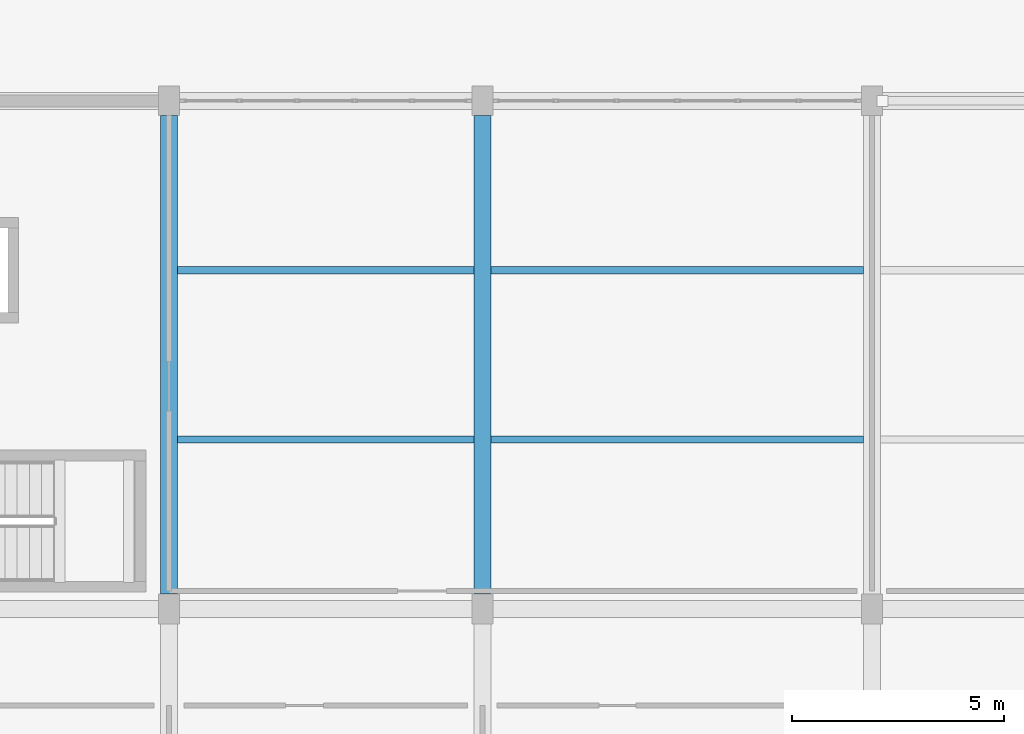
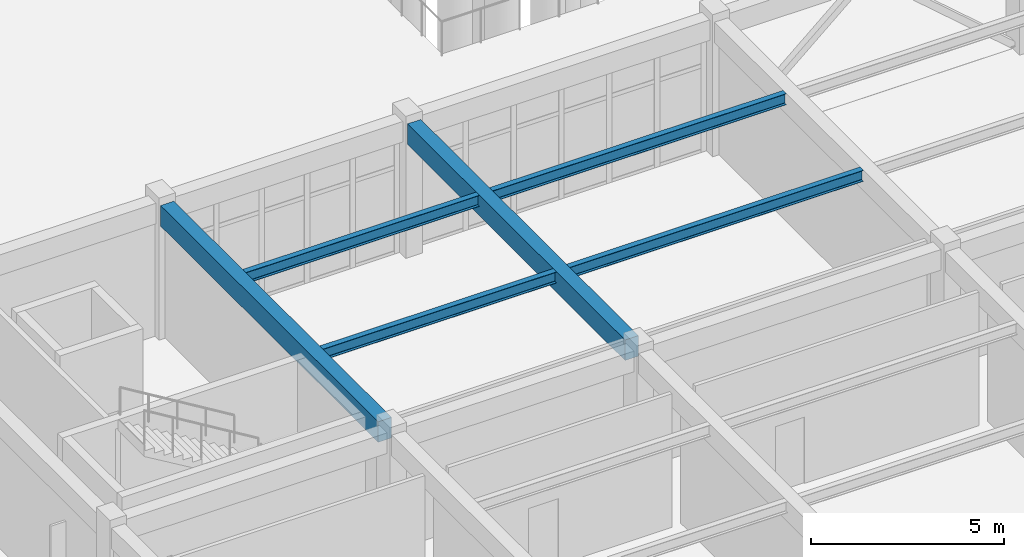
# One storey, part 35 of 154: 6 beams.
"""IFC4 building model written with IfcOpenShell, lengths in metres."""

import ifcopenshell
import ifcopenshell.guid

model = None  # the IFC model being written
_history = None  # IfcOwnerHistory: only IFC2X3 demands one
_inside = {}  # id of a spatial element -> (the spatial element, [elements in it])
_under = {}  # id of a project, library or spatial element -> (it, [spatial elements below it])
_declared = {}  # id of a project -> (the project, [libraries it declares])
_typed = {}  # id of a type object -> (the type object, [elements of that type])
_made_of = {}  # id of a material, layer set ... -> (it, [elements and type objects made of it])


def new_model(schema):
    """Start an empty IFC model of exactly this schema.

    Asked for "IFC4X3", IfcOpenShell would pick the latest addendum, in which some entities
    have other attributes; the version numbers below select the first issue.
    IFC2X3 requires an IfcOwnerHistory on every rooted entity: one is made here for all.
    """
    global model, _history
    if schema == "IFC4X3":
        model = ifcopenshell.file(schema_version=(4, 3, 0, 0))
    else:
        model = ifcopenshell.file(schema=schema)
    _inside.clear()
    _under.clear()
    _declared.clear()
    _typed.clear()
    _made_of.clear()
    _history = None
    if model.schema == "IFC2X3":
        org = make("IfcOrganization", Name="unknown")
        user = make(
            "IfcPersonAndOrganization",
            ThePerson=make("IfcPerson", FamilyName="unknown"),
            TheOrganization=org,
        )
        app = make(
            "IfcApplication",
            ApplicationDeveloper=org,
            Version="unknown",
            ApplicationFullName="unknown",
            ApplicationIdentifier="unknown",
        )
        _history = make(
            "IfcOwnerHistory",
            OwningUser=user,
            OwningApplication=app,
            ChangeAction="ADDED",
            CreationDate=0,
        )
    return model


def make(cls, **values):
    """One entity of the class cls with the attributes given. An attribute that is None is left unset."""
    return model.create_entity(
        cls, **{name: value for name, value in values.items() if value is not None}
    )


def rooted(cls, **values):
    """An entity with a GlobalId (a new one), such as an element, a storey or a relation."""
    return make(cls, GlobalId=ifcopenshell.guid.new(), OwnerHistory=_history, **values)


def si_unit(unit_type, name, prefix=None):
    """IfcSIUnit, for example si_unit("LENGTHUNIT", "METRE", prefix="MILLI")."""
    return make("IfcSIUnit", UnitType=unit_type, Prefix=prefix, Name=name)


def assignment(units):
    """IfcUnitAssignment: the units of a project."""
    return None if units is None else make("IfcUnitAssignment", Units=units)


def point(xyz):
    """IfcCartesianPoint."""
    return None if xyz is None else make("IfcCartesianPoint", Coordinates=xyz)


def direction(xyz):
    """IfcDirection."""
    return None if xyz is None else make("IfcDirection", DirectionRatios=xyz)


def frame(location, z_axis=None, x_axis=None):
    """IfcAxis2Placement3D, a coordinate frame: its origin and axes. An axis left out is left unset."""
    return make(
        "IfcAxis2Placement3D",
        Location=point(location),
        Axis=direction(z_axis),
        RefDirection=direction(x_axis),
    )


def frame_2d(location, x_axis=None):
    """IfcAxis2Placement2D, a coordinate frame in the plane: its origin and x axis."""
    return make(
        "IfcAxis2Placement2D", Location=point(location), RefDirection=direction(x_axis)
    )


def origin():
    """The frame at (0, 0, 0) with its axes left unset."""
    return frame((0.0, 0.0, 0.0))


def origin_2d():
    """The frame at (0, 0) in the plane with its x axis left unset."""
    return frame_2d((0.0, 0.0))


def place(relative_to, where):
    """IfcLocalPlacement: puts the frame where relative to a parent placement (None: the world)."""
    return make(
        "IfcLocalPlacement", PlacementRelTo=relative_to, RelativePlacement=where
    )


def context(
    kind, dimensions, precision=None, world=None, true_north=None, identifier=None
):
    """IfcGeometricRepresentationContext, for example the 3D "Model" context."""
    return make(
        "IfcGeometricRepresentationContext",
        ContextIdentifier=identifier,
        ContextType=kind,
        CoordinateSpaceDimension=dimensions,
        Precision=precision,
        WorldCoordinateSystem=world,
        TrueNorth=true_north,
    )


def subcontext(parent, identifier, kind, view, scale=None):
    """IfcGeometricRepresentationSubContext, for example "Body" below "Model"."""
    return make(
        "IfcGeometricRepresentationSubContext",
        ContextIdentifier=identifier,
        ContextType=kind,
        ParentContext=parent,
        TargetScale=scale,
        TargetView=view,
    )


def project(units=None, contexts=None):
    """IfcProject with its units and contexts."""
    return rooted(
        "IfcProject",
        Name="project",
        RepresentationContexts=contexts,
        UnitsInContext=assignment(units),
    )


def spatial(cls, under=None, at=None, **own):
    """A site, building, storey or space (cls), placed at a placement, below another one or the project."""
    s = rooted(cls, ObjectPlacement=at, **own)
    if under is not None:
        _under.setdefault(under.id(), (under, []))[1].append(s)
    return s


def profile(cls, at=None, kind="AREA", **sizes):
    """A parametric profile (cls). Its sizes go by their IFC names, for example OverallWidth=200.0."""
    return make(cls, ProfileType=kind, Position=at, **sizes)


def rectangle(**sizes):
    """IfcRectangleProfileDef."""
    return profile("IfcRectangleProfileDef", **sizes)


def i_section(**sizes):
    """IfcIShapeProfileDef."""
    return profile("IfcIShapeProfileDef", **sizes)


def extrude(swept, where, along, depth):
    """IfcExtrudedAreaSolid: the profile swept, set in the frame where, extruded along a direction by depth."""
    return make(
        "IfcExtrudedAreaSolid",
        SweptArea=swept,
        Position=where,
        ExtrudedDirection=direction(along),
        Depth=depth,
    )


def shape(context_of_items, identifier, shape_type, items):
    """IfcShapeRepresentation: the items that make up one representation, for example the "Body"."""
    return make(
        "IfcShapeRepresentation",
        ContextOfItems=context_of_items,
        RepresentationIdentifier=identifier,
        RepresentationType=shape_type,
        Items=items,
    )


def material(Name=None, Category=None):
    """IfcMaterial."""
    return make("IfcMaterial", Name=Name, Category=Category)


def material_profile(
    of_material, cross_section, Name=None, Category=None, Priority=None
):
    """IfcMaterialProfile: a cross section and its material."""
    return make(
        "IfcMaterialProfile",
        Name=Name,
        Material=of_material,
        Profile=cross_section,
        Priority=Priority,
        Category=Category,
    )


def profile_set(profiles, Name=None, composite=None):
    """IfcMaterialProfileSet."""
    return make(
        "IfcMaterialProfileSet",
        Name=Name,
        MaterialProfiles=profiles,
        CompositeProfile=composite,
    )


def made_of(thing, what):
    """Note that an element or type object is made of a material, layer set ...; save() writes the relation."""
    if what is not None:
        _made_of.setdefault(what.id(), (what, []))[1].append(thing)
    return thing


def type_object(cls, material=None, **own):
    """A type object (cls), such as IfcWallType, which elements share."""
    return made_of(rooted(cls, **own), material)


def element(
    cls,
    number,
    at=None,
    inside=None,
    cuts=None,
    type_object=None,
    material=None,
    context=None,
    identifier="Body",
    shape_type=None,
    held_by="IfcProductDefinitionShape",
    body=None,
    shapes=None,
    **own,
):
    """One element of the class cls, such as IfcWall. Its Tag is "e" and its number.

    at: its placement. inside: the storey or other place that contains it. cuts: it is an
    opening in that element (IfcRelVoidsElement). A single representation is given by context,
    identifier, shape_type and body (its items); several are given by shapes. held_by: the class
    of the entity that holds the representations. save() writes the other relations.
    """
    e = rooted(cls, Tag="e%d" % number, ObjectPlacement=at, **own)
    if body is not None:
        shapes = [shape(context, identifier, shape_type, body)]
    if shapes is not None:
        e.Representation = make(held_by, Representations=shapes)
    if inside is not None:
        _inside.setdefault(inside.id(), (inside, []))[1].append(e)
    if cuts is not None:
        rooted(
            "IfcRelVoidsElement", RelatingBuildingElement=cuts, RelatedOpeningElement=e
        )
    if type_object is not None:
        _typed.setdefault(type_object.id(), (type_object, []))[1].append(e)
    return made_of(e, material)


def aggregate(whole, parts):
    """IfcRelAggregates: a whole, such as a stair, and the parts it consists of."""
    return rooted("IfcRelAggregates", RelatingObject=whole, RelatedObjects=parts)


def save(model, path):
    """Write the relations noted so far, then the file.

    IfcRelAggregates (storeys below a building ...), IfcRelContainedInSpatialStructure (elements
    in a storey), IfcRelDefinesByType, IfcRelAssociatesMaterial and IfcRelDeclares: one each for
    every whole, place, type object, material and project.
    """
    for whole, parts in _under.values():
        aggregate(whole, parts)
    for where, things in _inside.values():
        rooted(
            "IfcRelContainedInSpatialStructure",
            RelatedElements=things,
            RelatingStructure=where,
        )
    for kind, things in _typed.values():
        rooted("IfcRelDefinesByType", RelatedObjects=things, RelatingType=kind)
    for what, things in _made_of.values():
        rooted("IfcRelAssociatesMaterial", RelatedObjects=things, RelatingMaterial=what)
    for by, libraries in _declared.values():
        rooted("IfcRelDeclares", RelatingContext=by, RelatedDefinitions=libraries)
    model.write(path)


model = new_model("IFC4")

# Units and contexts
model_context = context("Model", 3, precision=1e-05, world=origin(), true_north=direction((0.0, 1.0)))
body_context = subcontext(model_context, "Body", "Model", "MODEL_VIEW")
ifc_project = project(units=[si_unit("LENGTHUNIT", "METRE"), si_unit("AREAUNIT", "SQUARE_METRE"), si_unit("VOLUMEUNIT", "CUBIC_METRE"), si_unit("PLANEANGLEUNIT", "RADIAN"), si_unit("MASSUNIT", "GRAM", prefix="KILO")], contexts=[model_context])

# Site, building, storey
site_placement = place(None, origin())
site = spatial("IfcSite", under=ifc_project, at=site_placement, CompositionType="ELEMENT")
building_placement = place(site_placement, origin())
building = spatial("IfcBuilding", under=site, at=building_placement, Name="Kestramere Prow Commons", CompositionType="ELEMENT")
storey_placement = place(building_placement, origin())
storey = spatial("IfcBuildingStorey", under=building, at=storey_placement, Name="L00", CompositionType="ELEMENT", Elevation=0.0)

# Beams
ifc_material_1 = material(Name="Precast concrete C40/50", Category="concrete")
ifc_material_profile_1 = material_profile(ifc_material_1, rectangle(XDim=0.39990234375, YDim=0.64990234375, at=origin_2d()), Name="PC-BM 400x650")
ifc_profile_set_1 = profile_set([ifc_material_profile_1], Name="Precast concrete C40/50")
beam_type_1 = type_object("IfcBeamType", Name="BM-MK-01 PC-BM 400x650", PredefinedType="BEAM", material=ifc_profile_set_1)
for number, where, z_axis, x_axis, name in (
    (1, (68.39990234375, 12.35009765625, 3.925048828125), (0.0, 1.0, 0.0), (-1.0, 0.0, 0.0), "Market Spine L00 Beam Y 2-2"),
    (2, (75.800048828125, 12.35009765625, 3.925048828125), (0.0, 1.0, 0.0), (-1.0, 0.0, 0.0), "Market Spine L00 Beam Y 3-2"),
):
    element("IfcBeam", number, at=place(storey_placement, frame(where, z_axis=z_axis, x_axis=x_axis)), inside=storey, type_object=beam_type_1, Name=name, PredefinedType="BEAM", context=body_context, shape_type="SweptSolid", body=[
        extrude(rectangle(XDim=0.39990234375, YDim=0.64990234375, at=origin_2d()), origin(), (0.0, 0.0, 1.0), 11.2998046875),
    ])
ifc_material_2 = material(Name="Steel S355JR", Category="steel")
ifc_material_profile_2 = material_profile(ifc_material_2, i_section(OverallWidth=0.17138671875, OverallDepth=0.35498046875, WebThickness=0.00732421875, FlangeThickness=0.011474609375, FilletRadius=0.01025390625, at=origin_2d()), Name="UB 356x171x51")
ifc_profile_set_2 = profile_set([ifc_material_profile_2], Name="Steel S355JR")
beam_type_2 = type_object("IfcBeamType", Name="JST-MK-01 UB 356x171x51", PredefinedType="JOIST", material=ifc_profile_set_2)
for number, where, z_axis, x_axis, name in (
    (3, (68.60009765625, 16.0, 4.072509765625), (1.0, 0.0, 0.0), (0.0, 1.0, 0.0), "Market Spine L00 Secondary Joist 2-16"),
    (4, (68.60009765625, 20.0, 4.072509765625), (1.0, 0.0, 0.0), (0.0, 1.0, 0.0), "Market Spine L00 Secondary Joist 2-20"),
):
    element("IfcBeam", number, at=place(storey_placement, frame(where, z_axis=z_axis, x_axis=x_axis)), inside=storey, type_object=beam_type_2, Name=name, PredefinedType="JOIST", context=body_context, shape_type="SweptSolid", body=[
        extrude(i_section(OverallWidth=0.17138671875, OverallDepth=0.35498046875, WebThickness=0.00732421875, FlangeThickness=0.011474609375, FilletRadius=0.01025390625, at=origin_2d()), origin(), (0.0, 0.0, 1.0), 7.0),
    ])
for number, where, z_axis, x_axis, name in (
    (5, (76.0, 16.0, 4.072509765625), (1.0, 0.0, 0.0), (0.0, 1.0, 0.0), "Market Spine L00 Secondary Joist 3-16"),
    (6, (76.0, 20.0, 4.072509765625), (1.0, 0.0, 0.0), (0.0, 1.0, 0.0), "Market Spine L00 Secondary Joist 3-20"),
):
    element("IfcBeam", number, at=place(storey_placement, frame(where, z_axis=z_axis, x_axis=x_axis)), inside=storey, type_object=beam_type_2, Name=name, PredefinedType="JOIST", context=body_context, shape_type="SweptSolid", body=[
        extrude(i_section(OverallWidth=0.17138671875, OverallDepth=0.35498046875, WebThickness=0.00732421875, FlangeThickness=0.011474609375, FilletRadius=0.01025390625, at=origin_2d()), origin(), (0.0, 0.0, 1.0), 8.800048828125),
    ])

save(model, "model.ifc")
